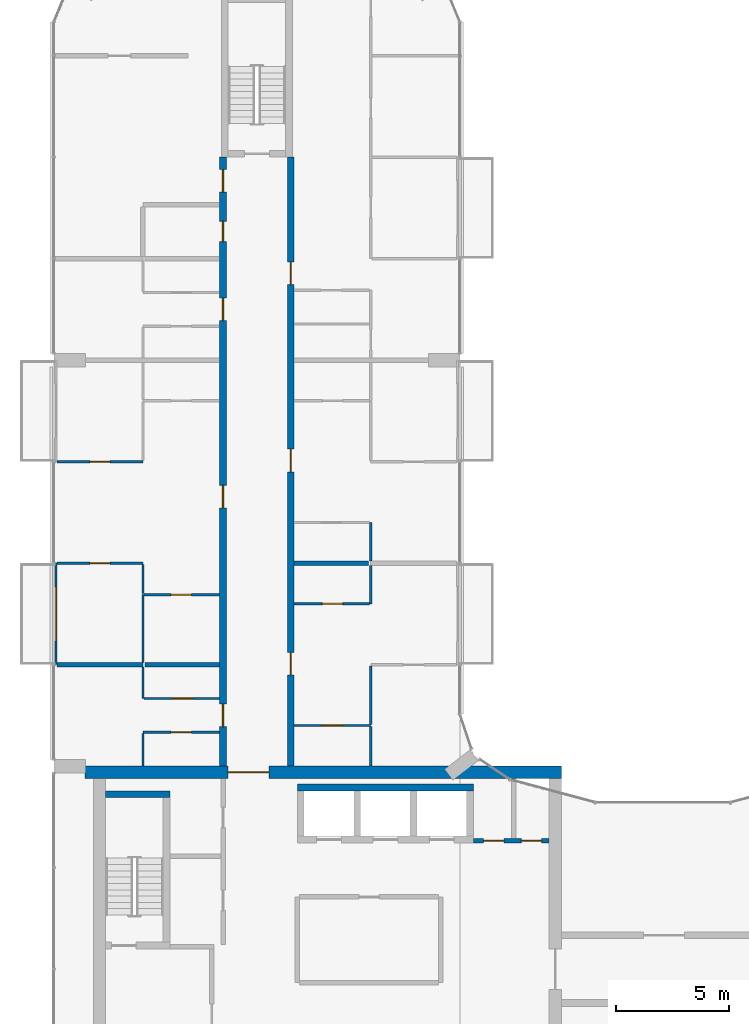
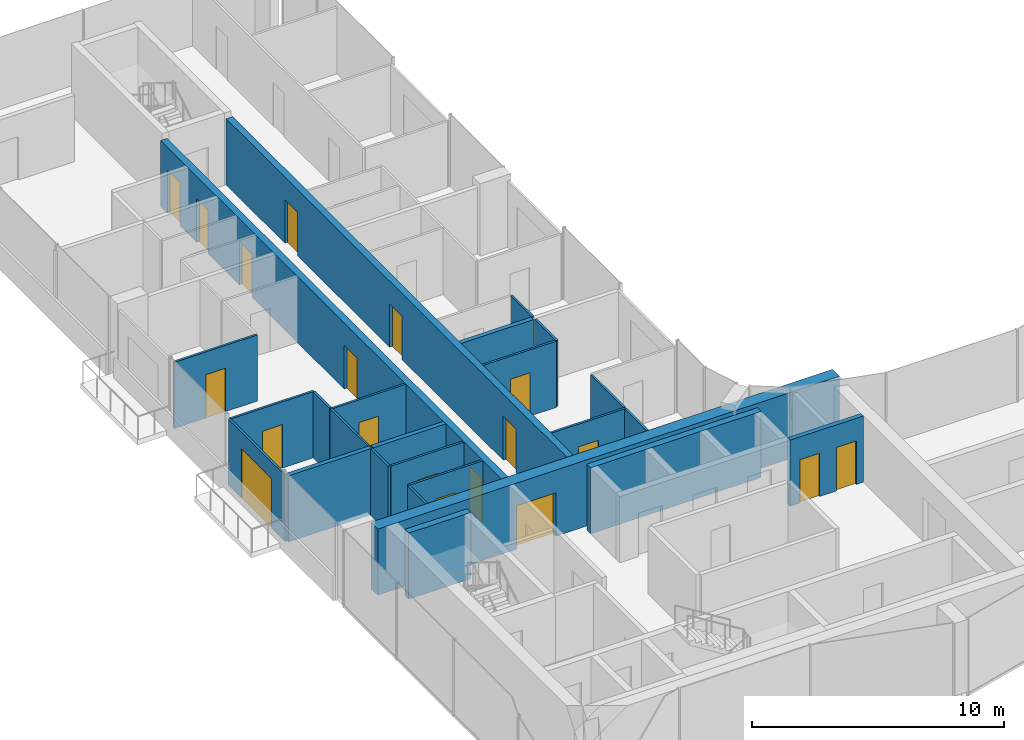
# One storey, part 10 of 16: 25 walls, 19 doors, 19 openings.
"""IFC4 building model written with IfcOpenShell, lengths in metres."""

import ifcopenshell
import ifcopenshell.guid

model = None  # the IFC model being written
_history = None  # IfcOwnerHistory: only IFC2X3 demands one
_inside = {}  # id of a spatial element -> (the spatial element, [elements in it])
_under = {}  # id of a project, library or spatial element -> (it, [spatial elements below it])
_declared = {}  # id of a project -> (the project, [libraries it declares])
_typed = {}  # id of a type object -> (the type object, [elements of that type])
_made_of = {}  # id of a material, layer set ... -> (it, [elements and type objects made of it])


def new_model(schema):
    """Start an empty IFC model of exactly this schema.

    Asked for "IFC4X3", IfcOpenShell would pick the latest addendum, in which some entities
    have other attributes; the version numbers below select the first issue.
    IFC2X3 requires an IfcOwnerHistory on every rooted entity: one is made here for all.
    """
    global model, _history
    if schema == "IFC4X3":
        model = ifcopenshell.file(schema_version=(4, 3, 0, 0))
    else:
        model = ifcopenshell.file(schema=schema)
    _inside.clear()
    _under.clear()
    _declared.clear()
    _typed.clear()
    _made_of.clear()
    _history = None
    if model.schema == "IFC2X3":
        org = make("IfcOrganization", Name="unknown")
        user = make(
            "IfcPersonAndOrganization",
            ThePerson=make("IfcPerson", FamilyName="unknown"),
            TheOrganization=org,
        )
        app = make(
            "IfcApplication",
            ApplicationDeveloper=org,
            Version="unknown",
            ApplicationFullName="unknown",
            ApplicationIdentifier="unknown",
        )
        _history = make(
            "IfcOwnerHistory",
            OwningUser=user,
            OwningApplication=app,
            ChangeAction="ADDED",
            CreationDate=0,
        )
    return model


def make(cls, **values):
    """One entity of the class cls with the attributes given. An attribute that is None is left unset."""
    return model.create_entity(
        cls, **{name: value for name, value in values.items() if value is not None}
    )


def rooted(cls, **values):
    """An entity with a GlobalId (a new one), such as an element, a storey or a relation."""
    return make(cls, GlobalId=ifcopenshell.guid.new(), OwnerHistory=_history, **values)


def si_unit(unit_type, name, prefix=None):
    """IfcSIUnit, for example si_unit("LENGTHUNIT", "METRE", prefix="MILLI")."""
    return make("IfcSIUnit", UnitType=unit_type, Prefix=prefix, Name=name)


def assignment(units):
    """IfcUnitAssignment: the units of a project."""
    return None if units is None else make("IfcUnitAssignment", Units=units)


def point(xyz):
    """IfcCartesianPoint."""
    return None if xyz is None else make("IfcCartesianPoint", Coordinates=xyz)


def direction(xyz):
    """IfcDirection."""
    return None if xyz is None else make("IfcDirection", DirectionRatios=xyz)


def frame(location, z_axis=None, x_axis=None):
    """IfcAxis2Placement3D, a coordinate frame: its origin and axes. An axis left out is left unset."""
    return make(
        "IfcAxis2Placement3D",
        Location=point(location),
        Axis=direction(z_axis),
        RefDirection=direction(x_axis),
    )


def frame_2d(location, x_axis=None):
    """IfcAxis2Placement2D, a coordinate frame in the plane: its origin and x axis."""
    return make(
        "IfcAxis2Placement2D", Location=point(location), RefDirection=direction(x_axis)
    )


def origin():
    """The frame at (0, 0, 0) with its axes left unset."""
    return frame((0.0, 0.0, 0.0))


def place(relative_to, where):
    """IfcLocalPlacement: puts the frame where relative to a parent placement (None: the world)."""
    return make(
        "IfcLocalPlacement", PlacementRelTo=relative_to, RelativePlacement=where
    )


def context(
    kind, dimensions, precision=None, world=None, true_north=None, identifier=None
):
    """IfcGeometricRepresentationContext, for example the 3D "Model" context."""
    return make(
        "IfcGeometricRepresentationContext",
        ContextIdentifier=identifier,
        ContextType=kind,
        CoordinateSpaceDimension=dimensions,
        Precision=precision,
        WorldCoordinateSystem=world,
        TrueNorth=true_north,
    )


def subcontext(parent, identifier, kind, view, scale=None):
    """IfcGeometricRepresentationSubContext, for example "Body" below "Model"."""
    return make(
        "IfcGeometricRepresentationSubContext",
        ContextIdentifier=identifier,
        ContextType=kind,
        ParentContext=parent,
        TargetScale=scale,
        TargetView=view,
    )


def project(units=None, contexts=None):
    """IfcProject with its units and contexts."""
    return rooted(
        "IfcProject",
        Name="project",
        RepresentationContexts=contexts,
        UnitsInContext=assignment(units),
    )


def spatial(cls, under=None, at=None, **own):
    """A site, building, storey or space (cls), placed at a placement, below another one or the project."""
    s = rooted(cls, ObjectPlacement=at, **own)
    if under is not None:
        _under.setdefault(under.id(), (under, []))[1].append(s)
    return s


def profile(cls, at=None, kind="AREA", **sizes):
    """A parametric profile (cls). Its sizes go by their IFC names, for example OverallWidth=200.0."""
    return make(cls, ProfileType=kind, Position=at, **sizes)


def rectangle(**sizes):
    """IfcRectangleProfileDef."""
    return profile("IfcRectangleProfileDef", **sizes)


def extrude(swept, where, along, depth):
    """IfcExtrudedAreaSolid: the profile swept, set in the frame where, extruded along a direction by depth."""
    return make(
        "IfcExtrudedAreaSolid",
        SweptArea=swept,
        Position=where,
        ExtrudedDirection=direction(along),
        Depth=depth,
    )


def shape(context_of_items, identifier, shape_type, items):
    """IfcShapeRepresentation: the items that make up one representation, for example the "Body"."""
    return make(
        "IfcShapeRepresentation",
        ContextOfItems=context_of_items,
        RepresentationIdentifier=identifier,
        RepresentationType=shape_type,
        Items=items,
    )


def material(Name=None, Category=None):
    """IfcMaterial."""
    return make("IfcMaterial", Name=Name, Category=Category)


def layer(
    of_material, thickness, ventilated=None, Name=None, Category=None, Priority=None
):
    """IfcMaterialLayer: one layer of a wall or slab, of a material (None: an air gap)."""
    return make(
        "IfcMaterialLayer",
        Material=of_material,
        LayerThickness=thickness,
        IsVentilated=ventilated,
        Name=Name,
        Category=Category,
        Priority=Priority,
    )


def layer_set(layers, Name=None):
    """IfcMaterialLayerSet."""
    return make("IfcMaterialLayerSet", MaterialLayers=layers, LayerSetName=Name)


def made_of(thing, what):
    """Note that an element or type object is made of a material, layer set ...; save() writes the relation."""
    if what is not None:
        _made_of.setdefault(what.id(), (what, []))[1].append(thing)
    return thing


def type_object(cls, material=None, **own):
    """A type object (cls), such as IfcWallType, which elements share."""
    return made_of(rooted(cls, **own), material)


def element(
    cls,
    number,
    at=None,
    inside=None,
    cuts=None,
    type_object=None,
    material=None,
    context=None,
    identifier="Body",
    shape_type=None,
    held_by="IfcProductDefinitionShape",
    body=None,
    shapes=None,
    **own,
):
    """One element of the class cls, such as IfcWall. Its Tag is "e" and its number.

    at: its placement. inside: the storey or other place that contains it. cuts: it is an
    opening in that element (IfcRelVoidsElement). A single representation is given by context,
    identifier, shape_type and body (its items); several are given by shapes. held_by: the class
    of the entity that holds the representations. save() writes the other relations.
    """
    e = rooted(cls, Tag="e%d" % number, ObjectPlacement=at, **own)
    if body is not None:
        shapes = [shape(context, identifier, shape_type, body)]
    if shapes is not None:
        e.Representation = make(held_by, Representations=shapes)
    if inside is not None:
        _inside.setdefault(inside.id(), (inside, []))[1].append(e)
    if cuts is not None:
        rooted(
            "IfcRelVoidsElement", RelatingBuildingElement=cuts, RelatedOpeningElement=e
        )
    if type_object is not None:
        _typed.setdefault(type_object.id(), (type_object, []))[1].append(e)
    return made_of(e, material)


def fill(opening, filler):
    """IfcRelFillsElement: the door or window that sits in an opening."""
    return rooted(
        "IfcRelFillsElement",
        RelatingOpeningElement=opening,
        RelatedBuildingElement=filler,
    )


def aggregate(whole, parts):
    """IfcRelAggregates: a whole, such as a stair, and the parts it consists of."""
    return rooted("IfcRelAggregates", RelatingObject=whole, RelatedObjects=parts)


def save(model, path):
    """Write the relations noted so far, then the file.

    IfcRelAggregates (storeys below a building ...), IfcRelContainedInSpatialStructure (elements
    in a storey), IfcRelDefinesByType, IfcRelAssociatesMaterial and IfcRelDeclares: one each for
    every whole, place, type object, material and project.
    """
    for whole, parts in _under.values():
        aggregate(whole, parts)
    for where, things in _inside.values():
        rooted(
            "IfcRelContainedInSpatialStructure",
            RelatedElements=things,
            RelatingStructure=where,
        )
    for kind, things in _typed.values():
        rooted("IfcRelDefinesByType", RelatedObjects=things, RelatingType=kind)
    for what, things in _made_of.values():
        rooted("IfcRelAssociatesMaterial", RelatedObjects=things, RelatingMaterial=what)
    for by, libraries in _declared.values():
        rooted("IfcRelDeclares", RelatingContext=by, RelatedDefinitions=libraries)
    model.write(path)


model = new_model("IFC4")

# Units and contexts
model_context = context("Model", 3, precision=1e-05, world=origin(), true_north=direction((0.0, 1.0)))
body_context = subcontext(model_context, "Body", "Model", "MODEL_VIEW")
ifc_project = project(units=[si_unit("LENGTHUNIT", "METRE"), si_unit("AREAUNIT", "SQUARE_METRE"), si_unit("VOLUMEUNIT", "CUBIC_METRE"), si_unit("PLANEANGLEUNIT", "RADIAN"), si_unit("MASSUNIT", "GRAM", prefix="KILO")], contexts=[model_context])

# Site, building, storey
site_placement = place(None, origin())
site = spatial("IfcSite", under=ifc_project, at=site_placement, CompositionType="ELEMENT")
building_placement = place(site_placement, origin())
building = spatial("IfcBuilding", under=site, at=building_placement, Name="Plateau Cross Towers", CompositionType="ELEMENT")
storey_placement = place(building_placement, frame((0.0, 0.0, 181.39990234375)))
storey = spatial("IfcBuildingStorey", under=building, at=storey_placement, Name="L47", CompositionType="ELEMENT", Elevation=181.39990234375)

# Wall, opening, door
ifc_material_1 = material(Name="Aluminium framed glazing", Category="aluminium")
ifc_layer_1 = layer(ifc_material_1, 0.10009765625)
ifc_layer_set_1 = layer_set([ifc_layer_1], Name="Aluminium framed glazing")
wall_type_1 = type_object("IfcWallType", Name="Balcony screen wall 100", PredefinedType="STANDARD", material=ifc_layer_set_1)
wall_1_placement = place(storey_placement, frame((0.10009765625, 22.5, 0.0), z_axis=(0.0, 0.0, 1.0), x_axis=(0.0, 1.0, 0.0)))
wall_1 = element("IfcWall", 1, at=wall_1_placement, inside=storey, type_object=wall_type_1, Name="Balcony screen wall A-BAL-L47-01", PredefinedType="STANDARD", context=body_context, shape_type="SweptSolid", body=[
    extrude(rectangle(XDim=4.5, YDim=0.10009765625, at=frame_2d((2.25, 0.0))), origin(), (0.0, 0.0, 1.0), 3.2001953125),
])
opening_1_placement = place(wall_1_placement, frame((1.050048828125, 0.0, 0.0)))
opening_1 = element("IfcOpeningElement", 2, at=opening_1_placement, cuts=wall_1, Name="Opening D-B24", PredefinedType="OPENING", context=body_context, shape_type="SweptSolid", body=[
    extrude(rectangle(XDim=2.39990234375, YDim=2.39990234375, at=frame_2d((1.199951171875, 1.199951171875))), frame((0.0, 0.06005859375, 0.0), z_axis=(0.0, -1.0, 0.0), x_axis=(1.0, 0.0, 0.0)), (0.0, 0.0, 1.0), 0.1201171875),
])
ifc_material_2 = material(Name="Aluminium frame, double glazing", Category="aluminium")
door_type_1 = type_object("IfcDoorType", Name="Balcony sliding door 2400", OperationType="NOTDEFINED", PredefinedType="DOOR", material=ifc_material_2)
door_1_placement = place(opening_1_placement, origin())
door_1 = element("IfcDoor", 3, at=door_1_placement, inside=storey, type_object=door_type_1, Name="Balcony door A-BAL-L47-01", OperationType="SINGLE_SWING_LEFT", OverallHeight=2.39990234375, OverallWidth=2.39990234375, PredefinedType="DOOR", context=body_context, shape_type="SweptSolid", body=[
    extrude(rectangle(XDim=2.39990234375, YDim=2.39990234375, at=frame_2d((1.199951171875, 1.199951171875))), frame((0.0, 0.02490234375, 0.0), z_axis=(0.0, -1.0, 0.0), x_axis=(1.0, 0.0, 0.0)), (0.0, 0.0, 1.0), 0.050048828125),
])
fill(opening_1, door_1)

# Wall, openings, doors
ifc_material_3 = material(Name="Concrete block, plastered both sides", Category="concrete")
ifc_layer_2 = layer(ifc_material_3, 0.199951171875)
ifc_layer_set_2 = layer_set([ifc_layer_2], Name="Concrete block, plastered both sides")
wall_type_2 = type_object("IfcWallType", Name="Core partition 200", PredefinedType="PARTITIONING", material=ifc_layer_set_2)
wall_2_placement = place(storey_placement, frame((18.60009765625, 14.699951171875, 0.0), z_axis=(0.0, 0.0, 1.0), x_axis=(1.0, 0.0, 0.0)))
wall_2 = element("IfcWall", 4, at=wall_2_placement, inside=storey, type_object=wall_type_2, Name="Core partition", PredefinedType="PARTITIONING", context=body_context, shape_type="SweptSolid", body=[
    extrude(rectangle(XDim=3.349853515625, YDim=0.199951171875, at=frame_2d((1.6748046875, 0.0))), origin(), (0.0, 0.0, 1.0), 3.2001953125),
])
opening_2_placement = place(wall_2_placement, frame((0.449951171875, 0.0, 0.0)))
opening_2 = element("IfcOpeningElement", 5, at=opening_2_placement, cuts=wall_2, Name="Opening RD2", PredefinedType="OPENING", context=body_context, shape_type="SweptSolid", body=[
    extrude(rectangle(XDim=0.89990234375, YDim=2.10009765625, at=frame_2d((0.449951171875, 1.050048828125))), frame((0.0, 0.10986328125, 0.0), z_axis=(0.0, -1.0, 0.0), x_axis=(1.0, 0.0, 0.0)), (0.0, 0.0, 1.0), 0.219970703125),
])
opening_3_placement = place(wall_2_placement, frame((2.125, 0.0, 0.0)))
opening_3 = element("IfcOpeningElement", 6, at=opening_3_placement, cuts=wall_2, Name="Opening RD2", PredefinedType="OPENING", context=body_context, shape_type="SweptSolid", body=[
    extrude(rectangle(XDim=0.89990234375, YDim=2.10009765625, at=frame_2d((0.449951171875, 1.050048828125))), frame((0.0, 0.10986328125, 0.0), z_axis=(0.0, -1.0, 0.0), x_axis=(1.0, 0.0, 0.0)), (0.0, 0.0, 1.0), 0.219970703125),
])
ifc_material_4 = material(Name="Steel, fire-resisting leaf", Category="steel")
door_type_2 = type_object("IfcDoorType", Name="Core riser door 900", OperationType="NOTDEFINED", PredefinedType="DOOR", material=ifc_material_4)
door_2_placement = place(opening_2_placement, origin())
door_2 = element("IfcDoor", 7, at=door_2_placement, inside=storey, type_object=door_type_2, Name="Core riser door RD2", OperationType="SINGLE_SWING_LEFT", OverallHeight=2.10009765625, OverallWidth=0.89990234375, PredefinedType="DOOR", context=body_context, shape_type="SweptSolid", body=[
    extrude(rectangle(XDim=0.89990234375, YDim=2.10009765625, at=frame_2d((0.449951171875, 1.050048828125))), frame((0.0, 0.02490234375, 0.0), z_axis=(0.0, -1.0, 0.0), x_axis=(1.0, 0.0, 0.0)), (0.0, 0.0, 1.0), 0.050048828125),
])
fill(opening_2, door_2)
door_3_placement = place(opening_3_placement, origin())
door_3 = element("IfcDoor", 8, at=door_3_placement, inside=storey, type_object=door_type_2, Name="Core riser door RD2", OperationType="SINGLE_SWING_LEFT", OverallHeight=2.10009765625, OverallWidth=0.89990234375, PredefinedType="DOOR", context=body_context, shape_type="SweptSolid", body=[
    extrude(rectangle(XDim=0.89990234375, YDim=2.10009765625, at=frame_2d((0.449951171875, 1.050048828125))), frame((0.0, 0.02490234375, 0.0), z_axis=(0.0, -1.0, 0.0), x_axis=(1.0, 0.0, 0.0)), (0.0, 0.0, 1.0), 0.050048828125),
])
fill(opening_3, door_3)

# Walls
ifc_material_5 = material(Name="Concrete C60/75", Category="concrete")
ifc_layer_3 = layer(ifc_material_5, 0.300048828125)
ifc_layer_set_3 = layer_set([ifc_layer_3], Name="Concrete C60/75")
wall_type_3 = type_object("IfcWallType", Name="Core shaft wall 300", PredefinedType="SHEAR", material=ifc_layer_set_3)
wall_3_placement = place(storey_placement, frame((2.300048828125, 16.75, 0.0), z_axis=(0.0, 0.0, 1.0), x_axis=(1.0, 0.0, 0.0)))
element("IfcWall", 9, at=wall_3_placement, inside=storey, type_object=wall_type_3, Name="A-st1-N@L47", PredefinedType="SHEAR", context=body_context, shape_type="SweptSolid", body=[
    extrude(rectangle(XDim=2.849853515625, YDim=0.300048828125, at=frame_2d((1.4248046875, 0.0))), origin(), (0.0, 0.0, 1.0), 3.2001953125),
])
wall_4_placement = place(storey_placement, frame((10.800048828125, 17.050048828125, 0.0), z_axis=(0.0, 0.0, 1.0), x_axis=(1.0, 0.0, 0.0)))
element("IfcWall", 10, at=wall_4_placement, inside=storey, type_object=wall_type_3, Name="A-nb-back@L47", PredefinedType="SHEAR", context=body_context, shape_type="SweptSolid", body=[
    extrude(rectangle(XDim=7.800048828125, YDim=0.300048828125, at=frame_2d((3.89990234375, 0.0))), origin(), (0.0, 0.0, 1.0), 3.2001953125),
])

# Wall, opening, door
ifc_layer_4 = layer(ifc_material_5, 0.550048828125)
ifc_layer_set_4 = layer_set([ifc_layer_4], Name="Concrete C60/75")
wall_type_4 = type_object("IfcWallType", Name="Core shell wall 550", PredefinedType="SHEAR", material=ifc_layer_set_4)
wall_5_placement = place(storey_placement, frame((1.3798828125, 17.72509765625, 0.0), z_axis=(0.0, 0.0, 1.0), x_axis=(1.0, 0.0, 0.0)))
wall_5 = element("IfcWall", 11, at=wall_5_placement, inside=storey, type_object=wall_type_4, Name="A-core-N@L47", PredefinedType="SHEAR", context=body_context, shape_type="SweptSolid", body=[
    extrude(rectangle(XDim=21.1201171875, YDim=0.550048828125, at=frame_2d((10.56005859375, 0.0))), origin(), (0.0, 0.0, 1.0), 3.2001953125),
])
opening_4_placement = place(wall_5_placement, frame((6.35009765625, 0.0, 0.0)))
opening_4 = element("IfcOpeningElement", 12, at=opening_4_placement, cuts=wall_5, Name="Opening CD", PredefinedType="OPENING", context=body_context, shape_type="SweptSolid", body=[
    extrude(rectangle(XDim=1.800048828125, YDim=2.10009765625, at=frame_2d((0.89990234375, 1.050048828125))), frame((0.0, 0.284912109375, 0.0), z_axis=(0.0, -1.0, 0.0), x_axis=(1.0, 0.0, 0.0)), (0.0, 0.0, 1.0), 0.570068359375),
])
ifc_material_6 = material(Name="Steel, fire-resisting leaves", Category="steel")
door_type_3 = type_object("IfcDoorType", Name="Corridor door pair 1800", OperationType="NOTDEFINED", PredefinedType="DOOR", material=ifc_material_6)
door_4_placement = place(opening_4_placement, origin())
door_4 = element("IfcDoor", 13, at=door_4_placement, inside=storey, type_object=door_type_3, Name="Corridor door pair CD", OperationType="DOUBLE_DOOR_SINGLE_SWING", OverallHeight=2.10009765625, OverallWidth=1.800048828125, PredefinedType="DOOR", context=body_context, shape_type="SweptSolid", body=[
    extrude(rectangle(XDim=1.800048828125, YDim=2.10009765625, at=frame_2d((0.89990234375, 1.050048828125))), frame((0.0, 0.02490234375, 0.0), z_axis=(0.0, -1.0, 0.0), x_axis=(1.0, 0.0, 0.0)), (0.0, 0.0, 1.0), 0.050048828125),
])
fill(opening_4, door_4)

# Wall, openings, doors
ifc_layer_5 = layer(ifc_material_5, 0.300048828125)
ifc_layer_set_5 = layer_set([ifc_layer_5], Name="Concrete C60/75")
wall_type_5 = type_object("IfcWallType", Name="Corridor wall 300", PredefinedType="SHEAR", material=ifc_layer_set_5)
wall_6_placement = place(storey_placement, frame((7.5, 18.0, 0.0), z_axis=(0.0, 0.0, 1.0), x_axis=(0.0, 1.0, 0.0)))
wall_6 = element("IfcWall", 14, at=wall_6_placement, inside=storey, type_object=wall_type_5, Name="A-cw-W1@L47", PredefinedType="SHEAR", context=body_context, shape_type="SweptSolid", body=[
    extrude(rectangle(XDim=27.0, YDim=0.300048828125, at=frame_2d((13.5, 0.0))), origin(), (0.0, 0.0, 1.0), 3.2001953125),
])
opening_5_placement = place(wall_6_placement, frame((1.75, 0.0, 0.0)))
opening_5 = element("IfcOpeningElement", 15, at=opening_5_placement, cuts=wall_6, Name="Opening 47-10", PredefinedType="OPENING", context=body_context, shape_type="SweptSolid", body=[
    extrude(rectangle(XDim=1.0, YDim=2.10009765625, at=frame_2d((0.5, 1.050048828125))), frame((0.0, 0.159912109375, 0.0), z_axis=(0.0, -1.0, 0.0), x_axis=(1.0, 0.0, 0.0)), (0.0, 0.0, 1.0), 0.320068359375),
])
opening_6_placement = place(wall_6_placement, frame((11.449951171875, 0.0, 0.0)))
opening_6 = element("IfcOpeningElement", 16, at=opening_6_placement, cuts=wall_6, Name="Opening 47-11", PredefinedType="OPENING", context=body_context, shape_type="SweptSolid", body=[
    extrude(rectangle(XDim=1.0, YDim=2.10009765625, at=frame_2d((0.5, 1.050048828125))), frame((0.0, 0.159912109375, 0.0), z_axis=(0.0, -1.0, 0.0), x_axis=(1.0, 0.0, 0.0)), (0.0, 0.0, 1.0), 0.320068359375),
])
opening_7_placement = place(wall_6_placement, frame((19.75, 0.0, 0.0)))
opening_7 = element("IfcOpeningElement", 17, at=opening_7_placement, cuts=wall_6, Name="Opening 47-12", PredefinedType="OPENING", context=body_context, shape_type="SweptSolid", body=[
    extrude(rectangle(XDim=1.0, YDim=2.10009765625, at=frame_2d((0.5, 1.050048828125))), frame((0.0, 0.159912109375, 0.0), z_axis=(0.0, -1.0, 0.0), x_axis=(1.0, 0.0, 0.0)), (0.0, 0.0, 1.0), 0.320068359375),
])
opening_8_placement = place(wall_6_placement, frame((23.25, 0.0, 0.0)))
opening_8 = element("IfcOpeningElement", 18, at=opening_8_placement, cuts=wall_6, Name="Opening 47-13", PredefinedType="OPENING", context=body_context, shape_type="SweptSolid", body=[
    extrude(rectangle(XDim=0.89990234375, YDim=2.10009765625, at=frame_2d((0.449951171875, 1.050048828125))), frame((0.0, 0.159912109375, 0.0), z_axis=(0.0, -1.0, 0.0), x_axis=(1.0, 0.0, 0.0)), (0.0, 0.0, 1.0), 0.320068359375),
])
opening_9_placement = place(wall_6_placement, frame((25.449951171875, 0.0, 0.0)))
opening_9 = element("IfcOpeningElement", 19, at=opening_9_placement, cuts=wall_6, Name="Opening 47-14", PredefinedType="OPENING", context=body_context, shape_type="SweptSolid", body=[
    extrude(rectangle(XDim=1.0, YDim=2.10009765625, at=frame_2d((0.5, 1.050048828125))), frame((0.0, 0.159912109375, 0.0), z_axis=(0.0, -1.0, 0.0), x_axis=(1.0, 0.0, 0.0)), (0.0, 0.0, 1.0), 0.320068359375),
])
ifc_material_7 = material(Name="Timber, fire-resisting leaf", Category="wood")
door_type_4 = type_object("IfcDoorType", Name="Flat entrance door 1000", OperationType="NOTDEFINED", PredefinedType="DOOR", material=ifc_material_7)
door_5_placement = place(opening_5_placement, origin())
door_5 = element("IfcDoor", 20, at=door_5_placement, inside=storey, type_object=door_type_4, Name="Door 47-10", OperationType="SINGLE_SWING_LEFT", OverallHeight=2.10009765625, OverallWidth=1.0, PredefinedType="DOOR", context=body_context, shape_type="SweptSolid", body=[
    extrude(rectangle(XDim=1.0, YDim=2.10009765625, at=frame_2d((0.5, 1.050048828125))), frame((0.0, 0.02490234375, 0.0), z_axis=(0.0, -1.0, 0.0), x_axis=(1.0, 0.0, 0.0)), (0.0, 0.0, 1.0), 0.050048828125),
])
fill(opening_5, door_5)
door_6_placement = place(opening_6_placement, origin())
door_6 = element("IfcDoor", 21, at=door_6_placement, inside=storey, type_object=door_type_4, Name="Door 47-11", OperationType="SINGLE_SWING_LEFT", OverallHeight=2.10009765625, OverallWidth=1.0, PredefinedType="DOOR", context=body_context, shape_type="SweptSolid", body=[
    extrude(rectangle(XDim=1.0, YDim=2.10009765625, at=frame_2d((0.5, 1.050048828125))), frame((0.0, 0.02490234375, 0.0), z_axis=(0.0, -1.0, 0.0), x_axis=(1.0, 0.0, 0.0)), (0.0, 0.0, 1.0), 0.050048828125),
])
fill(opening_6, door_6)
door_7_placement = place(opening_7_placement, origin())
door_7 = element("IfcDoor", 22, at=door_7_placement, inside=storey, type_object=door_type_4, Name="Door 47-12", OperationType="SINGLE_SWING_RIGHT", OverallHeight=2.10009765625, OverallWidth=1.0, PredefinedType="DOOR", context=body_context, shape_type="SweptSolid", body=[
    extrude(rectangle(XDim=1.0, YDim=2.10009765625, at=frame_2d((0.5, 1.050048828125))), frame((0.0, 0.02490234375, 0.0), z_axis=(0.0, -1.0, 0.0), x_axis=(1.0, 0.0, 0.0)), (0.0, 0.0, 1.0), 0.050048828125),
])
fill(opening_7, door_7)
door_8_placement = place(opening_9_placement, origin())
door_8 = element("IfcDoor", 23, at=door_8_placement, inside=storey, type_object=door_type_4, Name="Door 47-14", OperationType="SINGLE_SWING_RIGHT", OverallHeight=2.10009765625, OverallWidth=1.0, PredefinedType="DOOR", context=body_context, shape_type="SweptSolid", body=[
    extrude(rectangle(XDim=1.0, YDim=2.10009765625, at=frame_2d((0.5, 1.050048828125))), frame((0.0, 0.02490234375, 0.0), z_axis=(0.0, -1.0, 0.0), x_axis=(1.0, 0.0, 0.0)), (0.0, 0.0, 1.0), 0.050048828125),
])
fill(opening_9, door_8)
door_type_5 = type_object("IfcDoorType", Name="Flat floor service door 900", OperationType="NOTDEFINED", PredefinedType="DOOR", material=ifc_material_7)
door_9_placement = place(opening_8_placement, origin())
door_9 = element("IfcDoor", 24, at=door_9_placement, inside=storey, type_object=door_type_5, Name="Door 47-13", OperationType="SINGLE_SWING_RIGHT", OverallHeight=2.10009765625, OverallWidth=0.89990234375, PredefinedType="DOOR", context=body_context, shape_type="SweptSolid", body=[
    extrude(rectangle(XDim=0.89990234375, YDim=2.10009765625, at=frame_2d((0.449951171875, 1.050048828125))), frame((0.0, 0.02490234375, 0.0), z_axis=(0.0, -1.0, 0.0), x_axis=(1.0, 0.0, 0.0)), (0.0, 0.0, 1.0), 0.050048828125),
])
fill(opening_8, door_9)

wall_7_placement = place(storey_placement, frame((10.5, 18.0, 0.0), z_axis=(0.0, 0.0, 1.0), x_axis=(0.0, 1.0, 0.0)))
wall_7 = element("IfcWall", 25, at=wall_7_placement, inside=storey, type_object=wall_type_5, Name="A-cw-W2@L47", PredefinedType="SHEAR", context=body_context, shape_type="SweptSolid", body=[
    extrude(rectangle(XDim=27.0, YDim=0.300048828125, at=frame_2d((13.5, 0.0))), origin(), (0.0, 0.0, 1.0), 3.2001953125),
])
opening_10_placement = place(wall_7_placement, frame((4.050048828125, 0.0, 0.0)))
opening_10 = element("IfcOpeningElement", 26, at=opening_10_placement, cuts=wall_7, Name="Opening 47-15", PredefinedType="OPENING", context=body_context, shape_type="SweptSolid", body=[
    extrude(rectangle(XDim=1.0, YDim=2.10009765625, at=frame_2d((0.5, 1.050048828125))), frame((0.0, 0.159912109375, 0.0), z_axis=(0.0, -1.0, 0.0), x_axis=(1.0, 0.0, 0.0)), (0.0, 0.0, 1.0), 0.320068359375),
])
opening_11_placement = place(wall_7_placement, frame((13.050048828125, 0.0, 0.0)))
opening_11 = element("IfcOpeningElement", 27, at=opening_11_placement, cuts=wall_7, Name="Opening 47-16", PredefinedType="OPENING", context=body_context, shape_type="SweptSolid", body=[
    extrude(rectangle(XDim=1.0, YDim=2.10009765625, at=frame_2d((0.5, 1.050048828125))), frame((0.0, 0.159912109375, 0.0), z_axis=(0.0, -1.0, 0.0), x_axis=(1.0, 0.0, 0.0)), (0.0, 0.0, 1.0), 0.320068359375),
])
opening_12_placement = place(wall_7_placement, frame((21.35009765625, 0.0, 0.0)))
opening_12 = element("IfcOpeningElement", 28, at=opening_12_placement, cuts=wall_7, Name="Opening 47-17", PredefinedType="OPENING", context=body_context, shape_type="SweptSolid", body=[
    extrude(rectangle(XDim=1.0, YDim=2.10009765625, at=frame_2d((0.5, 1.050048828125))), frame((0.0, 0.159912109375, 0.0), z_axis=(0.0, -1.0, 0.0), x_axis=(1.0, 0.0, 0.0)), (0.0, 0.0, 1.0), 0.320068359375),
])
door_10_placement = place(opening_10_placement, origin())
door_10 = element("IfcDoor", 29, at=door_10_placement, inside=storey, type_object=door_type_4, Name="Door 47-15", OperationType="SINGLE_SWING_LEFT", OverallHeight=2.10009765625, OverallWidth=1.0, PredefinedType="DOOR", context=body_context, shape_type="SweptSolid", body=[
    extrude(rectangle(XDim=1.0, YDim=2.10009765625, at=frame_2d((0.5, 1.050048828125))), frame((0.0, 0.02490234375, 0.0), z_axis=(0.0, -1.0, 0.0), x_axis=(1.0, 0.0, 0.0)), (0.0, 0.0, 1.0), 0.050048828125),
])
fill(opening_10, door_10)
door_11_placement = place(opening_11_placement, origin())
door_11 = element("IfcDoor", 30, at=door_11_placement, inside=storey, type_object=door_type_4, Name="Door 47-16", OperationType="SINGLE_SWING_RIGHT", OverallHeight=2.10009765625, OverallWidth=1.0, PredefinedType="DOOR", context=body_context, shape_type="SweptSolid", body=[
    extrude(rectangle(XDim=1.0, YDim=2.10009765625, at=frame_2d((0.5, 1.050048828125))), frame((0.0, 0.02490234375, 0.0), z_axis=(0.0, -1.0, 0.0), x_axis=(1.0, 0.0, 0.0)), (0.0, 0.0, 1.0), 0.050048828125),
])
fill(opening_11, door_11)
door_12_placement = place(opening_12_placement, origin())
door_12 = element("IfcDoor", 31, at=door_12_placement, inside=storey, type_object=door_type_4, Name="Door 47-17", OperationType="SINGLE_SWING_RIGHT", OverallHeight=2.10009765625, OverallWidth=1.0, PredefinedType="DOOR", context=body_context, shape_type="SweptSolid", body=[
    extrude(rectangle(XDim=1.0, YDim=2.10009765625, at=frame_2d((0.5, 1.050048828125))), frame((0.0, 0.02490234375, 0.0), z_axis=(0.0, -1.0, 0.0), x_axis=(1.0, 0.0, 0.0)), (0.0, 0.0, 1.0), 0.050048828125),
])
fill(opening_12, door_12)

# Wall, opening, door
ifc_material_8 = material(Name="Gypsum board on steel studs", Category="steel")
ifc_layer_6 = layer(ifc_material_8, 0.10009765625)
ifc_layer_set_6 = layer_set([ifc_layer_6], Name="Gypsum board on steel studs")
wall_type_6 = type_object("IfcWallType", Name="Flat partition 100", PredefinedType="PARTITIONING", material=ifc_layer_set_6)
wall_8_placement = place(storey_placement, frame((7.35009765625, 19.5, 0.0), z_axis=(0.0, 0.0, 1.0), x_axis=(-1.0, 0.0, 0.0)))
wall_8 = element("IfcWall", 32, at=wall_8_placement, inside=storey, type_object=wall_type_6, Name="Partition wall", PredefinedType="PARTITIONING", context=body_context, shape_type="SweptSolid", body=[
    extrude(rectangle(XDim=3.400146484375, YDim=0.10009765625, at=frame_2d((1.7001953125, 0.0))), origin(), (0.0, 0.0, 1.0), 3.2001953125),
])
opening_13_placement = place(wall_8_placement, frame((1.25, 0.0, 0.0)))
opening_13 = element("IfcOpeningElement", 33, at=opening_13_placement, cuts=wall_8, Name="Opening 47-19", PredefinedType="OPENING", context=body_context, shape_type="SweptSolid", body=[
    extrude(rectangle(XDim=0.89990234375, YDim=2.10009765625, at=frame_2d((0.449951171875, 1.050048828125))), frame((0.0, 0.06005859375, 0.0), z_axis=(0.0, -1.0, 0.0), x_axis=(1.0, 0.0, 0.0)), (0.0, 0.0, 1.0), 0.1201171875),
])
ifc_material_9 = material(Name="Timber leaf", Category="wood")
door_type_6 = type_object("IfcDoorType", Name="Flat room door 900", OperationType="NOTDEFINED", PredefinedType="DOOR", material=ifc_material_9)
door_13_placement = place(opening_13_placement, origin())
door_13 = element("IfcDoor", 34, at=door_13_placement, inside=storey, type_object=door_type_6, Name="Door 47-19", OperationType="SINGLE_SWING_RIGHT", OverallHeight=2.10009765625, OverallWidth=0.89990234375, PredefinedType="DOOR", context=body_context, shape_type="SweptSolid", body=[
    extrude(rectangle(XDim=0.89990234375, YDim=2.10009765625, at=frame_2d((0.449951171875, 1.050048828125))), frame((0.0, 0.02490234375, 0.0), z_axis=(0.0, -1.0, 0.0), x_axis=(1.0, 0.0, 0.0)), (0.0, 0.0, 1.0), 0.050048828125),
])
fill(opening_13, door_13)

wall_9_placement = place(storey_placement, frame((14.050048828125, 19.800048828125, 0.0), z_axis=(0.0, 0.0, 1.0), x_axis=(-1.0, 0.0, 0.0)))
wall_9 = element("IfcWall", 35, at=wall_9_placement, inside=storey, type_object=wall_type_6, Name="Partition wall", PredefinedType="PARTITIONING", context=body_context, shape_type="SweptSolid", body=[
    extrude(rectangle(XDim=3.400146484375, YDim=0.10009765625, at=frame_2d((1.7001953125, 0.0))), origin(), (0.0, 0.0, 1.0), 3.2001953125),
])
opening_14_placement = place(wall_9_placement, frame((1.25, 0.0, 0.0)))
opening_14 = element("IfcOpeningElement", 36, at=opening_14_placement, cuts=wall_9, Name="Opening 47-27", PredefinedType="OPENING", context=body_context, shape_type="SweptSolid", body=[
    extrude(rectangle(XDim=0.89990234375, YDim=2.10009765625, at=frame_2d((0.449951171875, 1.050048828125))), frame((0.0, 0.06005859375, 0.0), z_axis=(0.0, -1.0, 0.0), x_axis=(1.0, 0.0, 0.0)), (0.0, 0.0, 1.0), 0.1201171875),
])
door_14_placement = place(opening_14_placement, origin())
door_14 = element("IfcDoor", 37, at=door_14_placement, inside=storey, type_object=door_type_6, Name="Door 47-27", OperationType="SINGLE_SWING_LEFT", OverallHeight=2.10009765625, OverallWidth=0.89990234375, PredefinedType="DOOR", context=body_context, shape_type="SweptSolid", body=[
    extrude(rectangle(XDim=0.89990234375, YDim=2.10009765625, at=frame_2d((0.449951171875, 1.050048828125))), frame((0.0, 0.02490234375, 0.0), z_axis=(0.0, -1.0, 0.0), x_axis=(1.0, 0.0, 0.0)), (0.0, 0.0, 1.0), 0.050048828125),
])
fill(opening_14, door_14)

wall_10_placement = place(storey_placement, frame((4.0, 21.0, 0.0), z_axis=(0.0, 0.0, 1.0), x_axis=(1.0, 0.0, 0.0)))
wall_10 = element("IfcWall", 38, at=wall_10_placement, inside=storey, type_object=wall_type_6, Name="Partition wall", PredefinedType="PARTITIONING", context=body_context, shape_type="SweptSolid", body=[
    extrude(rectangle(XDim=3.35009765625, YDim=0.10009765625, at=frame_2d((1.675048828125, 0.0))), origin(), (0.0, 0.0, 1.0), 3.2001953125),
])
opening_15_placement = place(wall_10_placement, frame((1.25, 0.0, 0.0)))
opening_15 = element("IfcOpeningElement", 39, at=opening_15_placement, cuts=wall_10, Name="Opening 47-20", PredefinedType="OPENING", context=body_context, shape_type="SweptSolid", body=[
    extrude(rectangle(XDim=0.89990234375, YDim=2.10009765625, at=frame_2d((0.449951171875, 1.050048828125))), frame((0.0, 0.06005859375, 0.0), z_axis=(0.0, -1.0, 0.0), x_axis=(1.0, 0.0, 0.0)), (0.0, 0.0, 1.0), 0.1201171875),
])
door_15_placement = place(opening_15_placement, origin())
door_15 = element("IfcDoor", 40, at=door_15_placement, inside=storey, type_object=door_type_6, Name="Door 47-20", OperationType="SINGLE_SWING_RIGHT", OverallHeight=2.10009765625, OverallWidth=0.89990234375, PredefinedType="DOOR", context=body_context, shape_type="SweptSolid", body=[
    extrude(rectangle(XDim=0.89990234375, YDim=2.10009765625, at=frame_2d((0.449951171875, 1.050048828125))), frame((0.0, 0.02490234375, 0.0), z_axis=(0.0, -1.0, 0.0), x_axis=(1.0, 0.0, 0.0)), (0.0, 0.0, 1.0), 0.050048828125),
])
fill(opening_15, door_15)

wall_11_placement = place(storey_placement, frame((10.64990234375, 25.199951171875, 0.0), z_axis=(0.0, 0.0, 1.0), x_axis=(1.0, 0.0, 0.0)))
wall_11 = element("IfcWall", 41, at=wall_11_placement, inside=storey, type_object=wall_type_6, Name="Partition wall", PredefinedType="PARTITIONING", context=body_context, shape_type="SweptSolid", body=[
    extrude(rectangle(XDim=3.35009765625, YDim=0.10009765625, at=frame_2d((1.675048828125, 0.0))), origin(), (0.0, 0.0, 1.0), 3.2001953125),
])
opening_16_placement = place(wall_11_placement, frame((1.25, 0.0, 0.0)))
opening_16 = element("IfcOpeningElement", 42, at=opening_16_placement, cuts=wall_11, Name="Opening 47-28", PredefinedType="OPENING", context=body_context, shape_type="SweptSolid", body=[
    extrude(rectangle(XDim=0.89990234375, YDim=2.10009765625, at=frame_2d((0.449951171875, 1.050048828125))), frame((0.0, 0.06005859375, 0.0), z_axis=(0.0, -1.0, 0.0), x_axis=(1.0, 0.0, 0.0)), (0.0, 0.0, 1.0), 0.1201171875),
])
door_16_placement = place(opening_16_placement, origin())
door_16 = element("IfcDoor", 43, at=door_16_placement, inside=storey, type_object=door_type_6, Name="Door 47-28", OperationType="SINGLE_SWING_RIGHT", OverallHeight=2.10009765625, OverallWidth=0.89990234375, PredefinedType="DOOR", context=body_context, shape_type="SweptSolid", body=[
    extrude(rectangle(XDim=0.89990234375, YDim=2.10009765625, at=frame_2d((0.449951171875, 1.050048828125))), frame((0.0, 0.02490234375, 0.0), z_axis=(0.0, -1.0, 0.0), x_axis=(1.0, 0.0, 0.0)), (0.0, 0.0, 1.0), 0.050048828125),
])
fill(opening_16, door_16)

wall_12_placement = place(storey_placement, frame((7.35009765625, 25.60009765625, 0.0), z_axis=(0.0, 0.0, 1.0), x_axis=(-1.0, 0.0, 0.0)))
wall_12 = element("IfcWall", 44, at=wall_12_placement, inside=storey, type_object=wall_type_6, Name="Partition wall", PredefinedType="PARTITIONING", context=body_context, shape_type="SweptSolid", body=[
    extrude(rectangle(XDim=3.35009765625, YDim=0.10009765625, at=frame_2d((1.675048828125, 0.0))), origin(), (0.0, 0.0, 1.0), 3.2001953125),
])
opening_17_placement = place(wall_12_placement, frame((1.25, 0.0, 0.0)))
opening_17 = element("IfcOpeningElement", 45, at=opening_17_placement, cuts=wall_12, Name="Opening 47-21", PredefinedType="OPENING", context=body_context, shape_type="SweptSolid", body=[
    extrude(rectangle(XDim=0.89990234375, YDim=2.10009765625, at=frame_2d((0.449951171875, 1.050048828125))), frame((0.0, 0.06005859375, 0.0), z_axis=(0.0, -1.0, 0.0), x_axis=(1.0, 0.0, 0.0)), (0.0, 0.0, 1.0), 0.1201171875),
])
door_17_placement = place(opening_17_placement, origin())
door_17 = element("IfcDoor", 46, at=door_17_placement, inside=storey, type_object=door_type_6, Name="Door 47-21", OperationType="SINGLE_SWING_RIGHT", OverallHeight=2.10009765625, OverallWidth=0.89990234375, PredefinedType="DOOR", context=body_context, shape_type="SweptSolid", body=[
    extrude(rectangle(XDim=0.89990234375, YDim=2.10009765625, at=frame_2d((0.449951171875, 1.050048828125))), frame((0.0, 0.02490234375, 0.0), z_axis=(0.0, -1.0, 0.0), x_axis=(1.0, 0.0, 0.0)), (0.0, 0.0, 1.0), 0.050048828125),
])
fill(opening_17, door_17)

wall_13_placement = place(storey_placement, frame((3.949951171875, 27.0, 0.0), z_axis=(0.0, 0.0, 1.0), x_axis=(-1.0, 0.0, 0.0)))
wall_13 = element("IfcWall", 47, at=wall_13_placement, inside=storey, type_object=wall_type_6, Name="Partition wall", PredefinedType="PARTITIONING", context=body_context, shape_type="SweptSolid", body=[
    extrude(rectangle(XDim=3.800048828125, YDim=0.10009765625, at=frame_2d((1.89990234375, 0.0))), origin(), (0.0, 0.0, 1.0), 3.2001953125),
])
opening_18_placement = place(wall_13_placement, frame((1.449951171875, 0.0, 0.0)))
opening_18 = element("IfcOpeningElement", 48, at=opening_18_placement, cuts=wall_13, Name="Opening 47-23", PredefinedType="OPENING", context=body_context, shape_type="SweptSolid", body=[
    extrude(rectangle(XDim=0.89990234375, YDim=2.10009765625, at=frame_2d((0.449951171875, 1.050048828125))), frame((0.0, 0.06005859375, 0.0), z_axis=(0.0, -1.0, 0.0), x_axis=(1.0, 0.0, 0.0)), (0.0, 0.0, 1.0), 0.1201171875),
])
door_18_placement = place(opening_18_placement, origin())
door_18 = element("IfcDoor", 49, at=door_18_placement, inside=storey, type_object=door_type_6, Name="Door 47-23", OperationType="SINGLE_SWING_LEFT", OverallHeight=2.10009765625, OverallWidth=0.89990234375, PredefinedType="DOOR", context=body_context, shape_type="SweptSolid", body=[
    extrude(rectangle(XDim=0.89990234375, YDim=2.10009765625, at=frame_2d((0.449951171875, 1.050048828125))), frame((0.0, 0.02490234375, 0.0), z_axis=(0.0, -1.0, 0.0), x_axis=(1.0, 0.0, 0.0)), (0.0, 0.0, 1.0), 0.050048828125),
])
fill(opening_18, door_18)

wall_14_placement = place(storey_placement, frame((0.14990234375, 31.5, 0.0), z_axis=(0.0, 0.0, 1.0), x_axis=(1.0, 0.0, 0.0)))
wall_14 = element("IfcWall", 50, at=wall_14_placement, inside=storey, type_object=wall_type_6, Name="Partition wall", PredefinedType="PARTITIONING", context=body_context, shape_type="SweptSolid", body=[
    extrude(rectangle(XDim=3.800048828125, YDim=0.10009765625, at=frame_2d((1.89990234375, 0.0))), origin(), (0.0, 0.0, 1.0), 3.2001953125),
])
opening_19_placement = place(wall_14_placement, frame((1.449951171875, 0.0, 0.0)))
opening_19 = element("IfcOpeningElement", 51, at=opening_19_placement, cuts=wall_14, Name="Opening 47-24", PredefinedType="OPENING", context=body_context, shape_type="SweptSolid", body=[
    extrude(rectangle(XDim=0.89990234375, YDim=2.10009765625, at=frame_2d((0.449951171875, 1.050048828125))), frame((0.0, 0.06005859375, 0.0), z_axis=(0.0, -1.0, 0.0), x_axis=(1.0, 0.0, 0.0)), (0.0, 0.0, 1.0), 0.1201171875),
])
door_19_placement = place(opening_19_placement, origin())
door_19 = element("IfcDoor", 52, at=door_19_placement, inside=storey, type_object=door_type_6, Name="Door 47-24", OperationType="SINGLE_SWING_LEFT", OverallHeight=2.10009765625, OverallWidth=0.89990234375, PredefinedType="DOOR", context=body_context, shape_type="SweptSolid", body=[
    extrude(rectangle(XDim=0.89990234375, YDim=2.10009765625, at=frame_2d((0.449951171875, 1.050048828125))), frame((0.0, 0.02490234375, 0.0), z_axis=(0.0, -1.0, 0.0), x_axis=(1.0, 0.0, 0.0)), (0.0, 0.0, 1.0), 0.050048828125),
])
fill(opening_19, door_19)

# Walls
wall_15_placement = place(storey_placement, frame((3.949951171875, 19.449951171875, 0.0), z_axis=(0.0, 0.0, 1.0), x_axis=(0.0, -1.0, 0.0)))
element("IfcWall", 53, at=wall_15_placement, inside=storey, type_object=wall_type_6, Name="Partition wall", PredefinedType="PARTITIONING", context=body_context, shape_type="SweptSolid", body=[
    extrude(rectangle(XDim=1.449951171875, YDim=0.10009765625, at=frame_2d((0.72509765625, 0.0))), origin(), (0.0, 0.0, 1.0), 3.2001953125),
])
wall_16_placement = place(storey_placement, frame((3.949951171875, 22.39990234375, 0.0), z_axis=(0.0, 0.0, 1.0), x_axis=(0.0, -1.0, 0.0)))
element("IfcWall", 54, at=wall_16_placement, inside=storey, type_object=wall_type_6, Name="Partition wall", PredefinedType="PARTITIONING", context=body_context, shape_type="SweptSolid", body=[
    extrude(rectangle(XDim=1.39990234375, YDim=0.10009765625, at=frame_2d((0.699951171875, 0.0))), origin(), (0.0, 0.0, 1.0), 3.2001953125),
])
wall_17_placement = place(storey_placement, frame((3.949951171875, 25.60009765625, 0.0), z_axis=(0.0, 0.0, 1.0), x_axis=(0.0, -1.0, 0.0)))
element("IfcWall", 55, at=wall_17_placement, inside=storey, type_object=wall_type_6, Name="Partition wall", PredefinedType="PARTITIONING", context=body_context, shape_type="SweptSolid", body=[
    extrude(rectangle(XDim=3.0, YDim=0.10009765625, at=frame_2d((1.5, 0.0))), origin(), (0.0, 0.0, 1.0), 3.2001953125),
])
wall_18_placement = place(storey_placement, frame((3.949951171875, 25.64990234375, 0.0), z_axis=(0.0, 0.0, 1.0), x_axis=(0.0, 1.0, 0.0)))
element("IfcWall", 56, at=wall_18_placement, inside=storey, type_object=wall_type_6, Name="Partition wall", PredefinedType="PARTITIONING", context=body_context, shape_type="SweptSolid", body=[
    extrude(rectangle(XDim=1.300048828125, YDim=0.10009765625, at=frame_2d((0.64990234375, 0.0))), origin(), (0.0, 0.0, 1.0), 3.2001953125),
])
wall_19_placement = place(storey_placement, frame((14.050048828125, 22.449951171875, 0.0), z_axis=(0.0, 0.0, 1.0), x_axis=(0.0, -1.0, 0.0)))
element("IfcWall", 57, at=wall_19_placement, inside=storey, type_object=wall_type_6, Name="Partition wall", PredefinedType="PARTITIONING", context=body_context, shape_type="SweptSolid", body=[
    extrude(rectangle(XDim=2.599853515625, YDim=0.10009765625, at=frame_2d((1.2998046875, 0.0))), origin(), (0.0, 0.0, 1.0), 3.2001953125),
])
wall_20_placement = place(storey_placement, frame((14.050048828125, 18.0, 0.0), z_axis=(0.0, 0.0, 1.0), x_axis=(0.0, 1.0, 0.0)))
element("IfcWall", 58, at=wall_20_placement, inside=storey, type_object=wall_type_6, Name="Partition wall", PredefinedType="PARTITIONING", context=body_context, shape_type="SweptSolid", body=[
    extrude(rectangle(XDim=1.75, YDim=0.10009765625, at=frame_2d((0.875, 0.0))), origin(), (0.0, 0.0, 1.0), 3.2001953125),
])
for number, where, z_axis, x_axis, name in (
    (59, (14.050048828125, 25.199951171875, 0.0), (0.0, 0.0, 1.0), (0.0, 1.0, 0.0), "Partition wall"),
    (60, (14.050048828125, 27.10009765625, 0.0), (0.0, 0.0, 1.0), (0.0, 1.0, 0.0), "Partition wall"),
):
    element("IfcWall", number, at=place(storey_placement, frame(where, z_axis=z_axis, x_axis=x_axis)), inside=storey, type_object=wall_type_6, Name=name, PredefinedType="PARTITIONING", context=body_context, shape_type="SweptSolid", body=[
        extrude(rectangle(XDim=1.699951171875, YDim=0.10009765625, at=frame_2d((0.85009765625, 0.0))), origin(), (0.0, 0.0, 1.0), 3.2001953125),
    ])
ifc_material_10 = material(Name="Gypsum board on steel studs, two layers each side", Category="steel")
ifc_layer_7 = layer(ifc_material_10, 0.199951171875)
ifc_layer_set_7 = layer_set([ifc_layer_7], Name="Gypsum board on steel studs, two layers each side")
wall_type_7 = type_object("IfcWallType", Name="Flat party wall 200", PredefinedType="PARTITIONING", material=ifc_layer_set_7)
wall_21_placement = place(storey_placement, frame((7.35009765625, 22.5, 0.0), z_axis=(0.0, 0.0, 1.0), x_axis=(-1.0, 0.0, 0.0)))
element("IfcWall", 61, at=wall_21_placement, inside=storey, type_object=wall_type_7, Name="Party wall", PredefinedType="PARTITIONING", context=body_context, shape_type="SweptSolid", body=[
    extrude(rectangle(XDim=3.300048828125, YDim=0.199951171875, at=frame_2d((1.64990234375, 0.0))), origin(), (0.0, 0.0, 1.0), 3.2001953125),
])
wall_22_placement = place(storey_placement, frame((0.14990234375, 22.5, 0.0), z_axis=(0.0, 0.0, 1.0), x_axis=(1.0, 0.0, 0.0)))
element("IfcWall", 62, at=wall_22_placement, inside=storey, type_object=wall_type_7, Name="Party wall", PredefinedType="PARTITIONING", context=body_context, shape_type="SweptSolid", body=[
    extrude(rectangle(XDim=3.800048828125, YDim=0.199951171875, at=frame_2d((1.89990234375, 0.0))), origin(), (0.0, 0.0, 1.0), 3.2001953125),
])
wall_23_placement = place(storey_placement, frame((13.949951171875, 27.0, 0.0), z_axis=(0.0, 0.0, 1.0), x_axis=(-1.0, 0.0, 0.0)))
element("IfcWall", 63, at=wall_23_placement, inside=storey, type_object=wall_type_7, Name="Party wall", PredefinedType="PARTITIONING", context=body_context, shape_type="SweptSolid", body=[
    extrude(rectangle(XDim=3.300048828125, YDim=0.199951171875, at=frame_2d((1.64990234375, 0.0))), origin(), (0.0, 0.0, 1.0), 3.2001953125),
])

save(model, "model.ifc")
